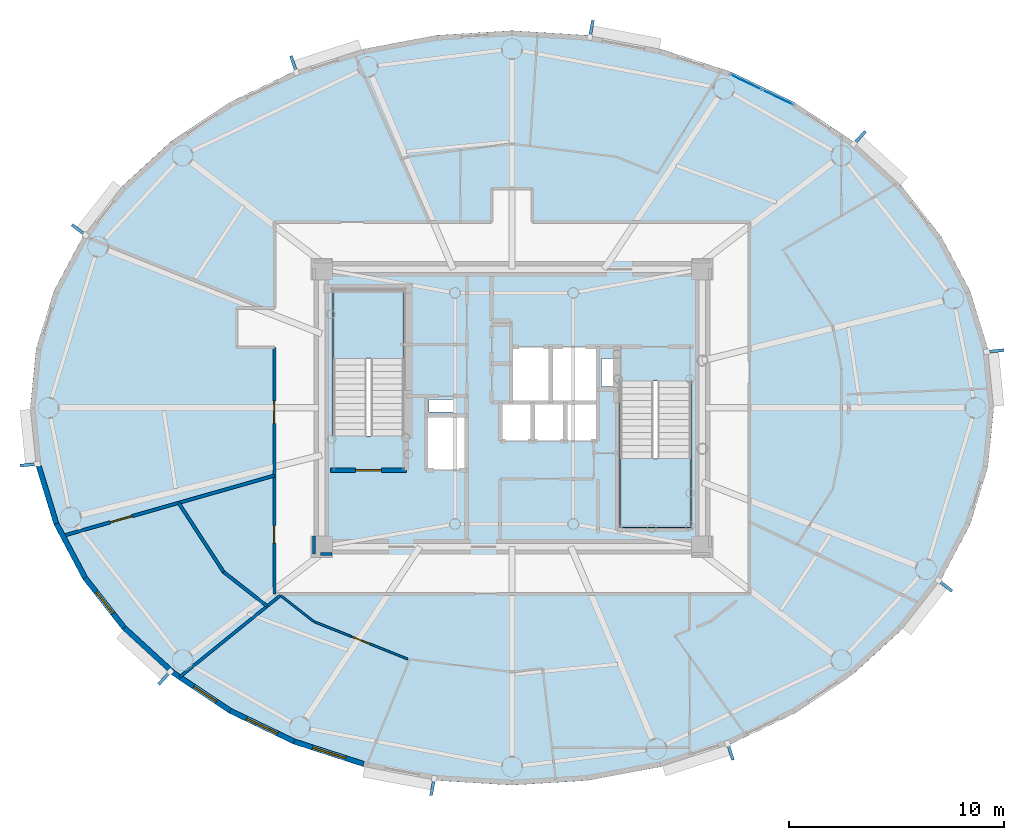
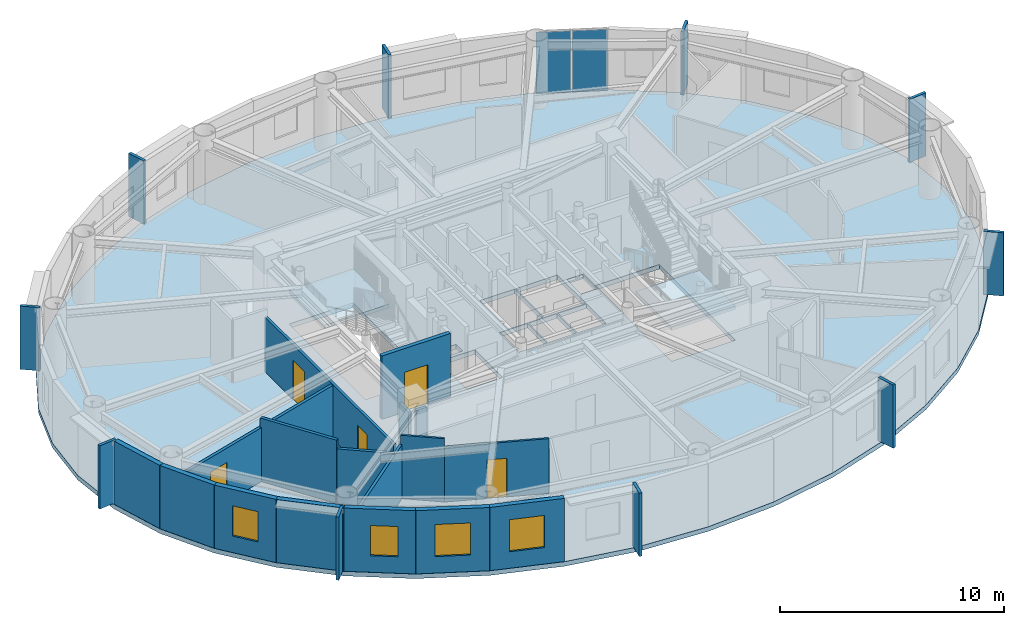
# One storey, part 6 of 17: 17 walls, 12 plates, 5 doors, 4 windows, 3 slabs, 9 openings, 3 elements without a shape of their own.
"""IFC4 building model written with IfcOpenShell, lengths in metres."""

from ifc_helpers import new_model, si_unit, direction, frame, frame_2d, origin, origin_2d, place, context, subcontext, project, spatial, polyline, rectangle, outline, extrude, source, transform, mapped, material, layer, layer_set, type_object, element, fill, aggregate, save


model = new_model("IFC4")

# Units and contexts
model_context = context("Model", 3, precision=1e-05, world=origin(), true_north=direction((0.0, 1.0)))
body_context = subcontext(model_context, "Body", "Model", "MODEL_VIEW")
ifc_project = project(units=[si_unit("LENGTHUNIT", "METRE"), si_unit("AREAUNIT", "SQUARE_METRE"), si_unit("VOLUMEUNIT", "CUBIC_METRE"), si_unit("PLANEANGLEUNIT", "RADIAN"), si_unit("MASSUNIT", "GRAM", prefix="KILO")], contexts=[model_context])

# Site, building, storey
site_placement = place(None, origin())
site = spatial("IfcSite", under=ifc_project, at=site_placement, CompositionType="ELEMENT")
building_placement = place(site_placement, origin())
building = spatial("IfcBuilding", under=site, at=building_placement, Name="Linh Dai School and Residence Tower", CompositionType="ELEMENT")
storey_placement = place(building_placement, frame((0.0, 0.0, 314.25)))
storey = spatial("IfcBuildingStorey", under=building, at=storey_placement, Name="L78", CompositionType="ELEMENT", Elevation=314.25)

# Slab
ifc_material_1 = material(Name="Concrete B45 (C35/45)", Category="concrete")
ifc_layer_1 = layer(ifc_material_1, 0.25)
ifc_layer_set_1 = layer_set([ifc_layer_1], Name="Concrete B45 (C35/45)")
slab_type_1 = type_object("IfcSlabType", Name="SLB-FLR250", PredefinedType="FLOOR", material=ifc_layer_set_1)
slab_1_placement = place(storey_placement, frame((0.0, 0.0, -0.25)))
element("IfcSlab", 1, at=slab_1_placement, inside=storey, type_object=slab_type_1, Name="L78 Composite Structural Floor Slab", PredefinedType="FLOOR", context=body_context, shape_type="SweptSolid", body=[
    extrude(outline(polyline([(58.39990234375, 27.0), (58.124267578125, 29.743896484375), (57.3037109375, 32.420166015625), (55.95849609375, 34.962890625), (54.1220703125, 37.309814453125), (51.839111328125, 39.402587890625), (49.16650390625, 41.190185546875), (46.16943359375, 42.628173828125), (42.921875, 43.681640625), (39.504150390625, 44.323974609375), (36.0, 44.5400390625), (32.495849609375, 44.323974609375), (29.078125, 43.681640625), (25.83056640625, 42.628173828125), (22.83349609375, 41.190185546875), (20.160888671875, 39.402587890625), (17.8779296875, 37.309814453125), (16.04150390625, 34.962890625), (14.6962890625, 32.420166015625), (13.875732421875, 29.743896484375), (13.60009765625, 27.0), (13.875732421875, 24.256103515625), (14.6962890625, 21.579833984375), (16.04150390625, 19.037109375), (17.8779296875, 16.690185546875), (20.160888671875, 14.597412109375), (22.83349609375, 12.809814453125), (25.83056640625, 11.371826171875), (29.078125, 10.318359375), (32.495849609375, 9.676025390625), (36.0, 9.4599609375), (39.504150390625, 9.676025390625), (42.921875, 10.318359375), (46.16943359375, 11.371826171875), (49.16650390625, 12.809814453125), (51.839111328125, 14.597412109375), (54.1220703125, 16.690185546875), (55.95849609375, 19.037109375), (57.3037109375, 21.579833984375), (58.124267578125, 24.256103515625), (58.39990234375, 27.0)]), holes=[polyline([(30.97998046875, 25.699951171875), (30.97998046875, 32.5), (27.679931640625, 32.5), (27.679931640625, 25.699951171875), (30.97998046875, 25.699951171875)]), polyline([(41.02001953125, 28.25), (41.02001953125, 21.449951171875), (44.320068359375, 21.449951171875), (44.320068359375, 28.25), (41.02001953125, 28.25)]), polyline([(35.97998046875, 27.280029296875), (37.77001953125, 27.280029296875), (37.77001953125, 29.820068359375), (35.97998046875, 29.820068359375), (35.97998046875, 27.280029296875)]), polyline([(32.030029296875, 24.1298828125), (33.8701171875, 24.1298828125), (33.8701171875, 26.6201171875), (32.030029296875, 26.6201171875), (32.030029296875, 24.1298828125)]), polyline([(37.830078125, 27.280029296875), (39.969970703125, 27.280029296875), (39.969970703125, 29.820068359375), (37.830078125, 29.820068359375), (37.830078125, 27.280029296875)]), polyline([(35.47998046875, 25.47998046875), (36.929931640625, 25.47998046875), (36.929931640625, 27.219970703125), (35.47998046875, 27.219970703125), (35.47998046875, 25.47998046875)]), polyline([(36.989990234375, 25.47998046875), (38.449951171875, 25.47998046875), (38.449951171875, 27.219970703125), (36.989990234375, 27.219970703125), (36.989990234375, 25.47998046875)]), polyline([(38.510009765625, 25.47998046875), (39.969970703125, 25.47998046875), (39.969970703125, 27.219970703125), (38.510009765625, 27.219970703125), (38.510009765625, 25.47998046875)]), polyline([(40.14990234375, 28.0), (40.14990234375, 29.300048828125), (41.0, 29.300048828125), (41.0, 28.280029296875), (40.989990234375, 28.280029296875), (40.989990234375, 28.0), (40.14990234375, 28.0)]), polyline([(32.14990234375, 26.800048828125), (33.35009765625, 26.800048828125), (33.35009765625, 27.39990234375), (32.14990234375, 27.39990234375), (32.14990234375, 26.800048828125)])]), origin(), (0.0, 0.0, 1.0), 0.25),
])

# Stair, slab
stair_type = type_object("IfcStairType", Name="ST-DOG-1550-R1442", PredefinedType="HALF_TURN_STAIR", material=ifc_material_1)
stair_1_placement = place(storey_placement, origin())
stair_1 = element("IfcStair", 2, at=stair_1_placement, inside=storey, type_object=stair_type, Name="L78 Core Smokeproof Exit Stair ST1", PredefinedType="HALF_TURN_STAIR")
ifc_layer_2 = layer(ifc_material_1, 0.199951171875)
ifc_layer_set_2 = layer_set([ifc_layer_2], Name="Concrete B45 (C35/45)")
slab_type_2 = type_object("IfcSlabType", Name="SLB-ST-LANDING-200", PredefinedType="LANDING", material=ifc_layer_set_2)
slab_2_placement = place(storey_placement, frame((0.0, 0.0, 1.675048828125)))
slab_2 = element("IfcSlab", 3, at=slab_2_placement, type_object=slab_type_2, Name="ST1 landing 1", PredefinedType="LANDING", context=body_context, shape_type="SweptSolid", body=[
    extrude(outline(polyline([(30.97998046875, 29.300048828125), (30.97998046875, 32.5), (27.679931640625, 32.5), (27.679931640625, 29.300048828125), (30.97998046875, 29.300048828125)])), origin(), (0.0, 0.0, 1.0), 0.199951171875),
])
aggregate(stair_1, [slab_2])

stair_2_placement = place(storey_placement, origin())
stair_2 = element("IfcStair", 4, at=stair_2_placement, inside=storey, type_object=stair_type, Name="L78 Core Smokeproof Exit Stair ST2", PredefinedType="HALF_TURN_STAIR")
slab_3_placement = place(storey_placement, frame((0.0, 0.0, 1.675048828125)))
slab_3 = element("IfcSlab", 5, at=slab_3_placement, type_object=slab_type_2, Name="ST2 landing 1", PredefinedType="LANDING", context=body_context, shape_type="SweptSolid", body=[
    extrude(outline(polyline([(41.02001953125, 24.64990234375), (41.02001953125, 21.449951171875), (44.320068359375, 21.449951171875), (44.320068359375, 24.64990234375), (41.02001953125, 24.64990234375)])), origin(), (0.0, 0.0, 1.0), 0.199951171875),
])
aggregate(stair_2, [slab_3])

# Plates
ifc_material_2 = material(Name="Precast Concrete B45 (C35/45)", Category="concrete")
ifc_layer_3 = layer(ifc_material_2, 0.139892578125)
ifc_layer_set_3 = layer_set([ifc_layer_3], Name="Precast Concrete B45 (C35/45)")
plate_type_1 = type_object("IfcPlateType", Name="FIN-TC-900x140", PredefinedType="USERDEFINED", material=ifc_layer_set_3)
shared_shape_1 = source(origin(), body_context, "Body", "SweptSolid", [
    extrude(rectangle(XDim=0.89990234375, YDim=0.139892578125, at=origin_2d()), origin(), (0.0, 0.0, 1.0), 3.449951171875),
])
for number, where, z_axis, x_axis, name in (
    (6, (58.421630859375, 29.640625, 0.0), (0.0, 0.0, 1.0), (0.994986629598, 0.100008034283, 0.0), "L78 Precast Terracotta Radial Fin 01"),
    (7, (52.127685546875, 39.525390625, 0.0), (0.0, 0.0, 1.0), (0.67577730889, 0.737105846394, 0.0), "L78 Precast Terracotta Radial Fin 05"),
    (8, (39.682373046875, 44.580810546875, 0.0), (0.0, 0.0, 1.0), (0.184751197452, 0.982785325002, 0.0), "L78 Precast Terracotta Radial Fin 09"),
    (9, (25.864501953125, 42.939208984375, 0.0), (0.0, 0.0, 1.0), (-0.308518805176, 0.951218243545, 0.0), "L78 Precast Terracotta Radial Fin 13"),
    (10, (15.897216796875, 35.241943359375, 0.0), (0.0, 0.0, 1.0), (-0.78750300393, 0.616310813471, 0.0), "L78 Precast Terracotta Radial Fin 17"),
    (11, (13.578369140625, 24.359375, 0.0), (0.0, 0.0, 1.0), (-0.994986629598, -0.100008034283, 0.0), "L78 Precast Terracotta Radial Fin 21"),
    (12, (19.872314453125, 14.474609375, 0.0), (0.0, 0.0, 1.0), (-0.675779074535, -0.737104227651, 0.0), "L78 Precast Terracotta Radial Fin 25"),
    (13, (32.317626953125, 9.419189453125, 0.0), (0.0, 0.0, 1.0), (-0.184751197452, -0.982785325002, 0.0), "L78 Precast Terracotta Radial Fin 29"),
    (14, (46.135498046875, 11.060791015625, 0.0), (0.0, 0.0, 1.0), (0.308518805176, -0.951218243545, 0.0), "L78 Precast Terracotta Radial Fin 33"),
    (15, (56.102783203125, 18.758056640625, 0.0), (0.0, 0.0, 1.0), (0.78750300393, -0.616310813471, 0.0), "L78 Precast Terracotta Radial Fin 37"),
):
    element("IfcPlate", number, at=place(storey_placement, frame(where, z_axis=z_axis, x_axis=x_axis)), inside=storey, type_object=plate_type_1, Name=name, ObjectType="RADIAL FIN", PredefinedType="USERDEFINED", context=body_context, shape_type="MappedRepresentation", body=[
        mapped(shared_shape_1, transform((0.0, 0.0, 0.0), x_axis=(1.0, 0.0, 0.0), y_axis=(0.0, 1.0, 0.0), z_axis=(0.0, 0.0, 1.0), scale=1.0)),
    ])

# Curtain wall, plates
ifc_material_3 = material(Name="Aluminium Anodised Curtain Wall", Category="aluminium")
ifc_layer_4 = layer(ifc_material_3, 0.14990234375)
ifc_layer_set_4 = layer_set([ifc_layer_4], Name="Aluminium Anodised Curtain Wall")
curtain_wall_type = type_object("IfcCurtainWallType", Name="CW-SYS-4", PredefinedType="USERDEFINED", material=ifc_layer_set_4)
curtain_wall_placement = place(storey_placement, origin())
curtain_wall = element("IfcCurtainWall", 16, at=curtain_wall_placement, inside=storey, type_object=curtain_wall_type, Name="L78 CW4 Curtain Wall 07", ObjectType="RIBBON CURTAIN WALL", PredefinedType="USERDEFINED")
ifc_material_4 = material(Name="Double Low-E Insulated Glazing", Category="glass")
ifc_layer_5 = layer(ifc_material_4, 0.02587890625)
ifc_layer_set_5 = layer_set([ifc_layer_5], Name="Double Low-E Insulated Glazing")
plate_type_2 = type_object("IfcPlateType", Name="CW-SYS-4-PAN", PredefinedType="CURTAIN_PANEL", material=ifc_layer_set_5)
shared_shape_2 = source(origin(), body_context, "Body", "SweptSolid", [
    extrude(rectangle(XDim=1.575439453125, YDim=0.02587890625, at=origin_2d()), origin(), (0.0, 0.0, 1.0), 3.345947265625),
])
plate_1_placement = place(storey_placement, frame((46.880126953125, 42.14892578125, 0.05224609375), z_axis=(0.0, 0.0, 1.0), x_axis=(0.901580240323, -0.432611916456, 0.0)))
plate_1 = element("IfcPlate", 17, at=plate_1_placement, type_object=plate_type_2, Name="CW4 panel 1.1", PredefinedType="CURTAIN_PANEL", context=body_context, shape_type="MappedRepresentation", body=[
    mapped(shared_shape_2, transform((0.0, 0.0, 0.0), x_axis=(1.0, 0.0, 0.0), y_axis=(0.0, 1.0, 0.0), z_axis=(0.0, 0.0, 1.0), scale=1.0)),
])
plate_2_placement = place(storey_placement, frame((48.347412109375, 41.44482421875, 0.05224609375), z_axis=(0.0, 0.0, 1.0), x_axis=(0.901580240323, -0.432611916456, 0.0)))
plate_2 = element("IfcPlate", 18, at=plate_2_placement, type_object=plate_type_2, Name="CW4 panel 2.1", PredefinedType="CURTAIN_PANEL", context=body_context, shape_type="MappedRepresentation", body=[
    mapped(shared_shape_2, transform((0.0, 0.0, 0.0), x_axis=(1.0, 0.0, 0.0), y_axis=(0.0, 1.0, 0.0), z_axis=(0.0, 0.0, 1.0), scale=1.0)),
])
aggregate(curtain_wall, [plate_1, plate_2])

# Walls
ifc_layer_6 = layer(ifc_material_2, 0.239990234375)
ifc_layer_set_6 = layer_set([ifc_layer_6], Name="Precast Concrete B45 (C35/45)")
wall_type_1 = type_object("IfcWallType", Name="EW-TC-240", PredefinedType="SOLIDWALL", material=ifc_layer_set_6)
wall_1_placement = place(storey_placement, frame((14.811767578125, 21.627685546875, 0.0), z_axis=(0.0, 0.0, 1.0), x_axis=(-0.2931213403, 0.956075248012, 0.0)))
element("IfcWall", 19, at=wall_1_placement, inside=storey, type_object=wall_type_1, Name="L78 Terracotta Exterior Wall 22", PredefinedType="SOLIDWALL", context=body_context, shape_type="SweptSolid", body=[
    extrude(rectangle(XDim=2.775146484375, YDim=0.239990234375, at=frame_2d((1.3876953125, 0.0))), origin(), (0.0, 0.0, 1.0), 3.449951171875),
])
wall_2_placement = place(storey_placement, frame((16.146240234375, 19.105224609375, 0.0), z_axis=(0.0, 0.0, 1.0), x_axis=(-0.467628269026, 0.883925224218, 0.0)))
element("IfcWall", 20, at=wall_2_placement, inside=storey, type_object=wall_type_1, Name="L78 Terracotta Exterior Wall 23", PredefinedType="SOLIDWALL", context=body_context, shape_type="SweptSolid", body=[
    extrude(rectangle(XDim=2.853759765625, YDim=0.239990234375, at=frame_2d((1.4267578125, 0.0))), origin(), (0.0, 0.0, 1.0), 3.449951171875),
])

# Wall, opening, window
wall_3_placement = place(storey_placement, frame((17.9697265625, 16.775390625, 0.0), z_axis=(0.0, 0.0, 1.0), x_axis=(-0.616337186556, 0.787482363275, 0.0)))
wall_3 = element("IfcWall", 21, at=wall_3_placement, inside=storey, type_object=wall_type_1, Name="L78 Terracotta Exterior Wall 24", PredefinedType="SOLIDWALL", context=body_context, shape_type="SweptSolid", body=[
    extrude(rectangle(XDim=2.95849609375, YDim=0.239990234375, at=frame_2d((1.479248046875, 0.0))), origin(), (0.0, 0.0, 1.0), 3.449951171875),
])
opening_1_placement = place(wall_3_placement, frame((0.85400390625, 0.0, 0.89990234375)))
opening_1 = element("IfcOpeningElement", 22, at=opening_1_placement, cuts=wall_3, Name="Opening W3", PredefinedType="OPENING", context=body_context, shape_type="SweptSolid", body=[
    extrude(rectangle(XDim=1.25, YDim=1.64990234375, at=origin_2d()), frame((0.625, 0.1298828125, 0.824951171875), z_axis=(0.0, -1.0, 0.0), x_axis=(1.0, 0.0, 0.0)), (0.0, 0.0, 1.0), 0.260009765625),
])
window_type_1 = type_object("IfcWindowType", Name="WN-RES-1250x1650", PartitioningType="SINGLE_PANEL", PredefinedType="WINDOW", material=ifc_material_4)
shared_shape_3 = source(origin(), body_context, "Body", "SweptSolid", [
    extrude(rectangle(XDim=1.25, YDim=1.64990234375, at=origin_2d()), frame((0.625, 0.030029296875, 0.824951171875), z_axis=(0.0, -1.0, 0.0), x_axis=(1.0, 0.0, 0.0)), (0.0, 0.0, 1.0), 0.06005859375),
])
window_1_placement = place(opening_1_placement, origin())
window_1 = element("IfcWindow", 23, at=window_1_placement, inside=storey, type_object=window_type_1, Name="L78 Exterior Window 24.1", OverallHeight=1.64990234375, OverallWidth=1.25, PartitioningType="SINGLE_PANEL", PredefinedType="WINDOW", context=body_context, shape_type="MappedRepresentation", body=[
    mapped(shared_shape_3, transform((0.0, 0.0, 0.0), x_axis=(1.0, 0.0, 0.0), y_axis=(0.0, 1.0, 0.0), z_axis=(0.0, 0.0, 1.0), scale=1.0)),
])
fill(opening_1, window_1)

# Wall
wall_4_placement = place(storey_placement, frame((20.23779296875, 14.69580078125, 0.0), z_axis=(0.0, 0.0, 1.0), x_axis=(-0.737068506972, 0.675818034703, 0.0)))
element("IfcWall", 24, at=wall_4_placement, inside=storey, type_object=wall_type_1, Name="L78 Terracotta Exterior Wall 25", PredefinedType="SOLIDWALL", context=body_context, shape_type="SweptSolid", body=[
    extrude(rectangle(XDim=3.0771484375, YDim=0.239990234375, at=frame_2d((1.53857421875, 0.0))), origin(), (0.0, 0.0, 1.0), 3.449951171875),
])

# Wall, opening, window
wall_5_placement = place(storey_placement, frame((22.8955078125, 12.91845703125, 0.0), z_axis=(0.0, 0.0, 1.0), x_axis=(-0.831250592635, 0.55589787933, 0.0)))
wall_5 = element("IfcWall", 25, at=wall_5_placement, inside=storey, type_object=wall_type_1, Name="L78 Terracotta Exterior Wall 26", PredefinedType="SOLIDWALL", context=body_context, shape_type="SweptSolid", body=[
    extrude(rectangle(XDim=3.197265625, YDim=0.239990234375, at=frame_2d((1.5986328125, 0.0))), origin(), (0.0, 0.0, 1.0), 3.449951171875),
])
opening_2_placement = place(wall_5_placement, frame((0.771728515625, 0.0, 0.89990234375)))
opening_2 = element("IfcOpeningElement", 26, at=opening_2_placement, cuts=wall_5, Name="Opening W3", PredefinedType="OPENING", context=body_context, shape_type="SweptSolid", body=[
    extrude(rectangle(XDim=1.25, YDim=1.64990234375, at=origin_2d()), frame((0.625, 0.1298828125, 0.824951171875), z_axis=(0.0, -1.0, 0.0), x_axis=(1.0, 0.0, 0.0)), (0.0, 0.0, 1.0), 0.260009765625),
])
window_2_placement = place(opening_2_placement, origin())
window_2 = element("IfcWindow", 27, at=window_2_placement, inside=storey, type_object=window_type_1, Name="L78 Exterior Window 26.1", OverallHeight=1.64990234375, OverallWidth=1.25, PartitioningType="SINGLE_PANEL", PredefinedType="WINDOW", context=body_context, shape_type="MappedRepresentation", body=[
    mapped(shared_shape_3, transform((0.0, 0.0, 0.0), x_axis=(1.0, 0.0, 0.0), y_axis=(0.0, 1.0, 0.0), z_axis=(0.0, 0.0, 1.0), scale=1.0)),
])
fill(opening_2, window_2)

wall_6_placement = place(storey_placement, frame((25.876953125, 11.48779296875, 0.0), z_axis=(0.0, 0.0, 1.0), x_axis=(-0.901573741254, 0.43262546051, 0.0)))
wall_6 = element("IfcWall", 28, at=wall_6_placement, inside=storey, type_object=wall_type_1, Name="L78 Terracotta Exterior Wall 27", PredefinedType="SOLIDWALL", context=body_context, shape_type="SweptSolid", body=[
    extrude(rectangle(XDim=3.306884765625, YDim=0.239990234375, at=frame_2d((1.6533203125, 0.0))), origin(), (0.0, 0.0, 1.0), 3.449951171875),
])
opening_3_placement = place(wall_6_placement, frame((0.853271484375, 0.0, 0.89990234375)))
opening_3 = element("IfcOpeningElement", 29, at=opening_3_placement, cuts=wall_6, Name="Opening W2", PredefinedType="OPENING", context=body_context, shape_type="SweptSolid", body=[
    extrude(rectangle(XDim=1.60009765625, YDim=1.75, at=origin_2d()), frame((0.800048828125, 0.1298828125, 0.875), z_axis=(0.0, -1.0, 0.0), x_axis=(1.0, 0.0, 0.0)), (0.0, 0.0, 1.0), 0.260009765625),
])
window_type_2 = type_object("IfcWindowType", Name="WN-RES-1600x1750", PartitioningType="DOUBLE_PANEL_VERTICAL", PredefinedType="WINDOW", material=ifc_material_4)
shared_shape_4 = source(origin(), body_context, "Body", "SweptSolid", [
    extrude(rectangle(XDim=1.60009765625, YDim=1.75, at=origin_2d()), frame((0.800048828125, 0.030029296875, 0.875), z_axis=(0.0, -1.0, 0.0), x_axis=(1.0, 0.0, 0.0)), (0.0, 0.0, 1.0), 0.06005859375),
])
window_3_placement = place(opening_3_placement, origin())
window_3 = element("IfcWindow", 30, at=window_3_placement, inside=storey, type_object=window_type_2, Name="L78 Exterior Window 27.1", OverallHeight=1.75, OverallWidth=1.60009765625, PartitioningType="DOUBLE_PANEL_VERTICAL", PredefinedType="WINDOW", context=body_context, shape_type="MappedRepresentation", body=[
    mapped(shared_shape_4, transform((0.0, 0.0, 0.0), x_axis=(1.0, 0.0, 0.0), y_axis=(0.0, 1.0, 0.0), z_axis=(0.0, 0.0, 1.0), scale=1.0)),
])
fill(opening_3, window_3)

wall_7_placement = place(storey_placement, frame((29.10888671875, 10.439697265625, 0.0), z_axis=(0.0, 0.0, 1.0), x_axis=(-0.95123136723, 0.308478339592, 0.0)))
wall_7 = element("IfcWall", 31, at=wall_7_placement, inside=storey, type_object=wall_type_1, Name="L78 Terracotta Exterior Wall 28", PredefinedType="SOLIDWALL", context=body_context, shape_type="SweptSolid", body=[
    extrude(rectangle(XDim=3.397705078125, YDim=0.239990234375, at=frame_2d((1.69873046875, 0.0))), origin(), (0.0, 0.0, 1.0), 3.449951171875),
])
opening_4_placement = place(wall_7_placement, frame((0.898681640625, 0.0, 0.89990234375)))
opening_4 = element("IfcOpeningElement", 32, at=opening_4_placement, cuts=wall_7, Name="Opening W2", PredefinedType="OPENING", context=body_context, shape_type="SweptSolid", body=[
    extrude(rectangle(XDim=1.60009765625, YDim=1.75, at=origin_2d()), frame((0.800048828125, 0.1298828125, 0.875), z_axis=(0.0, -1.0, 0.0), x_axis=(1.0, 0.0, 0.0)), (0.0, 0.0, 1.0), 0.260009765625),
])
window_4_placement = place(opening_4_placement, origin())
window_4 = element("IfcWindow", 33, at=window_4_placement, inside=storey, type_object=window_type_2, Name="L78 Exterior Window 28.1", OverallHeight=1.75, OverallWidth=1.60009765625, PartitioningType="DOUBLE_PANEL_VERTICAL", PredefinedType="WINDOW", context=body_context, shape_type="MappedRepresentation", body=[
    mapped(shared_shape_4, transform((0.0, 0.0, 0.0), x_axis=(1.0, 0.0, 0.0), y_axis=(0.0, 1.0, 0.0), z_axis=(0.0, 0.0, 1.0), scale=1.0)),
])
fill(opening_4, window_4)

# Wall
ifc_material_5 = material(Name="Autoclaved Aerated Concrete Blockwork", Category="masonry")
ifc_layer_7 = layer(ifc_material_5, 0.135009765625)
ifc_layer_set_7 = layer_set([ifc_layer_7], Name="Autoclaved Aerated Concrete Blockwork")
wall_type_2 = type_object("IfcWallType", Name="IW-CORR-135-EI90", PredefinedType="PARTITIONING", material=ifc_layer_set_7)
wall_8_placement = place(storey_placement, frame((20.544677734375, 14.484619140625, 0.0), z_axis=(0.0, 0.0, 1.0), x_axis=(0.77715155867, 0.629313479004, 0.0)))
element("IfcWall", 34, at=wall_8_placement, inside=storey, type_object=wall_type_2, Name="L78 Interior Partition Wall 004", PredefinedType="PARTITIONING", context=body_context, shape_type="SweptSolid", body=[
    extrude(rectangle(XDim=6.032470703125, YDim=0.135009765625, at=frame_2d((3.01611328125, 0.0))), origin(), (0.0, 0.0, 1.0), 2.93505859375),
])

# Wall, openings, doors
wall_9_placement = place(storey_placement, frame((24.949951171875, 18.35009765625, 0.0), z_axis=(0.0, 0.0, 1.0), x_axis=(0.0, 1.0, 0.0)))
wall_9 = element("IfcWall", 35, at=wall_9_placement, inside=storey, type_object=wall_type_2, Name="L78 Interior Partition Wall 009", PredefinedType="PARTITIONING", context=body_context, shape_type="SweptSolid", body=[
    extrude(rectangle(XDim=11.449951171875, YDim=0.135009765625, at=frame_2d((5.72509765625, 0.0))), origin(), (0.0, 0.0, 1.0), 2.985107421875),
])
opening_5_placement = place(wall_9_placement, frame((7.93115234375, 0.0, 0.0)))
opening_5 = element("IfcOpeningElement", 36, at=opening_5_placement, cuts=wall_9, Name="Opening D04", PredefinedType="OPENING", context=body_context, shape_type="SweptSolid", body=[
    extrude(rectangle(XDim=1.050048828125, YDim=2.14990234375, at=origin_2d()), frame((0.52490234375, 0.07763671875, 1.074951171875), z_axis=(0.0, -1.0, 0.0), x_axis=(1.0, 0.0, 0.0)), (0.0, 0.0, 1.0), 0.155029296875),
])
opening_6_placement = place(wall_9_placement, frame((2.361083984375, 0.0, 0.0)))
opening_6 = element("IfcOpeningElement", 37, at=opening_6_placement, cuts=wall_9, Name="Opening D06", PredefinedType="OPENING", context=body_context, shape_type="SweptSolid", body=[
    extrude(rectangle(XDim=0.820068359375, YDim=2.10009765625, at=origin_2d()), frame((0.41015625, 0.07763671875, 1.050048828125), z_axis=(0.0, -1.0, 0.0), x_axis=(1.0, 0.0, 0.0)), (0.0, 0.0, 1.0), 0.155029296875),
])
ifc_material_6 = material(Name="Acoustic Vision-Panel Timber Classroom Door", Category="wood")
door_type_1 = type_object("IfcDoorType", Name="DR-SCH-1050x2150-FD60S", OperationType="NOTDEFINED", PredefinedType="DOOR", material=ifc_material_6)
shared_shape_5 = source(origin(), body_context, "Body", "SweptSolid", [
    extrude(rectangle(XDim=1.050048828125, YDim=2.14990234375, at=origin_2d()), frame((0.52490234375, 0.02490234375, 1.074951171875), z_axis=(0.0, -1.0, 0.0), x_axis=(1.0, 0.0, 0.0)), (0.0, 0.0, 1.0), 0.050048828125),
])
door_1_placement = place(opening_5_placement, origin())
door_1 = element("IfcDoor", 38, at=door_1_placement, inside=storey, type_object=door_type_1, Name="L78 High-Zone Resident Gallery Reading Room Door", OperationType="SINGLE_SWING_LEFT", OverallHeight=2.14990234375, OverallWidth=1.050048828125, PredefinedType="DOOR", context=body_context, shape_type="MappedRepresentation", body=[
    mapped(shared_shape_5, transform((0.0, 0.0, 0.0), x_axis=(1.0, 0.0, 0.0), y_axis=(0.0, 1.0, 0.0), z_axis=(0.0, 0.0, 1.0), scale=1.0)),
])
fill(opening_5, door_1)
ifc_material_7 = material(Name="Moisture-Resistant Timber Bathroom Door", Category="wood")
door_type_2 = type_object("IfcDoorType", Name="DR-WET-820x2100", OperationType="NOTDEFINED", PredefinedType="DOOR", material=ifc_material_7)
shared_shape_6 = source(origin(), body_context, "Body", "SweptSolid", [
    extrude(rectangle(XDim=0.820068359375, YDim=2.10009765625, at=origin_2d()), frame((0.41015625, 0.02490234375, 1.050048828125), z_axis=(0.0, -1.0, 0.0), x_axis=(1.0, 0.0, 0.0)), (0.0, 0.0, 1.0), 0.050048828125),
])
door_2_placement = place(opening_6_placement, origin())
door_2 = element("IfcDoor", 39, at=door_2_placement, inside=storey, type_object=door_type_2, Name="L78 Amenity Accessible WC Door", OperationType="SINGLE_SWING_RIGHT", OverallHeight=2.10009765625, OverallWidth=0.820068359375, PredefinedType="DOOR", context=body_context, shape_type="MappedRepresentation", body=[
    mapped(shared_shape_6, transform((0.0, 0.0, 0.0), x_axis=(1.0, 0.0, 0.0), y_axis=(0.0, 1.0, 0.0), z_axis=(0.0, 0.0, 1.0), scale=1.0)),
])
fill(opening_6, door_2)

# Walls
wall_10_placement = place(storey_placement, frame((26.800048828125, 21.0400390625, 0.0), z_axis=(0.0, 0.0, 1.0), x_axis=(0.0, -1.0, 0.0)))
element("IfcWall", 40, at=wall_10_placement, inside=storey, type_object=wall_type_2, Name="L78 Interior Partition Wall 081", PredefinedType="PARTITIONING", context=body_context, shape_type="SweptSolid", body=[
    extrude(rectangle(XDim=0.840087890625, YDim=0.135009765625, at=frame_2d((0.419921875, 0.0))), origin(), (0.0, 0.0, 1.0), 2.985107421875),
])
wall_11_placement = place(storey_placement, frame((27.107421875, 20.199951171875, 0.0), z_axis=(0.0, 0.0, 1.0), x_axis=(1.0, 0.0, 0.0)))
element("IfcWall", 41, at=wall_11_placement, inside=storey, type_object=wall_type_2, Name="L78 Interior Partition Wall 082", PredefinedType="PARTITIONING", context=body_context, shape_type="SweptSolid", body=[
    extrude(rectangle(XDim=0.532470703125, YDim=0.135009765625, at=frame_2d((0.26611328125, 0.0))), origin(), (0.0, 0.0, 1.0), 2.985107421875),
])

# Wall, opening, door
ifc_layer_8 = layer(ifc_material_5, 0.14990234375)
ifc_layer_set_8 = layer_set([ifc_layer_8], Name="Autoclaved Aerated Concrete Blockwork")
wall_type_3 = type_object("IfcWallType", Name="IW-SCH-150-EI60", PredefinedType="PARTITIONING", material=ifc_layer_set_8)
wall_12_placement = place(storey_placement, frame((15.11181640625, 21.0498046875, 0.0), z_axis=(0.0, 0.0, 1.0), x_axis=(0.961740695875, 0.273961373004, 0.0)))
wall_12 = element("IfcWall", 42, at=wall_12_placement, inside=storey, type_object=wall_type_3, Name="L78 Interior Partition Wall 001", PredefinedType="PARTITIONING", context=body_context, shape_type="SweptSolid", body=[
    extrude(rectangle(XDim=10.2294921875, YDim=0.14990234375, at=frame_2d((5.11474609375, 0.0))), origin(), (0.0, 0.0, 1.0), 2.93505859375),
])
opening_7_placement = place(wall_12_placement, frame((2.29541015625, 0.0, 0.0)))
opening_7 = element("IfcOpeningElement", 43, at=opening_7_placement, cuts=wall_12, Name="Opening D04", PredefinedType="OPENING", context=body_context, shape_type="SweptSolid", body=[
    extrude(rectangle(XDim=1.050048828125, YDim=2.14990234375, at=origin_2d()), frame((0.52490234375, 0.0849609375, 1.074951171875), z_axis=(0.0, -1.0, 0.0), x_axis=(1.0, 0.0, 0.0)), (0.0, 0.0, 1.0), 0.169921875),
])
door_3_placement = place(opening_7_placement, origin())
door_3 = element("IfcDoor", 44, at=door_3_placement, inside=storey, type_object=door_type_1, Name="L78 Amenity Tea Salon Door", OperationType="SINGLE_SWING_LEFT", OverallHeight=2.14990234375, OverallWidth=1.050048828125, PredefinedType="DOOR", context=body_context, shape_type="MappedRepresentation", body=[
    mapped(shared_shape_5, transform((0.0, 0.0, 0.0), x_axis=(1.0, 0.0, 0.0), y_axis=(0.0, 1.0, 0.0), z_axis=(0.0, 0.0, 1.0), scale=1.0)),
])
fill(opening_7, door_3)

# Walls
wall_13_placement = place(storey_placement, frame((20.498779296875, 22.584228515625, 0.0), z_axis=(0.0, 0.0, 1.0), x_axis=(0.545422512832, -0.838161250892, 0.0)))
element("IfcWall", 45, at=wall_13_placement, inside=storey, type_object=wall_type_3, Name="L78 Interior Partition Wall 003", PredefinedType="PARTITIONING", context=body_context, shape_type="SweptSolid", body=[
    extrude(rectangle(XDim=3.833740234375, YDim=0.14990234375, at=frame_2d((1.9169921875, 0.0))), origin(), (0.0, 0.0, 1.0), 3.449951171875),
])
wall_14_placement = place(storey_placement, frame((22.58984375, 19.370849609375, 0.0), z_axis=(0.0, 0.0, 1.0), x_axis=(0.78729093539, -0.616581692116, 0.0)))
element("IfcWall", 46, at=wall_14_placement, inside=storey, type_object=wall_type_3, Name="L78 Interior Partition Wall 005", PredefinedType="PARTITIONING", context=body_context, shape_type="SweptSolid", body=[
    extrude(rectangle(XDim=2.57568359375, YDim=0.14990234375, at=frame_2d((1.287841796875, 0.0))), origin(), (0.0, 0.0, 1.0), 2.985107421875),
])

# Wall, opening, door
ifc_layer_9 = layer(ifc_material_1, 0.199951171875)
ifc_layer_set_9 = layer_set([ifc_layer_9], Name="Concrete B45 (C35/45)")
wall_type_4 = type_object("IfcWallType", Name="IW-SHAFT-200-EI120", PredefinedType="PARTITIONING", material=ifc_layer_set_9)
wall_15_placement = place(storey_placement, frame((27.56005859375, 24.10009765625, 0.0), z_axis=(0.0, 0.0, 1.0), x_axis=(1.0, 0.0, 0.0)))
wall_15 = element("IfcWall", 47, at=wall_15_placement, inside=storey, type_object=wall_type_4, Name="L78 Interior Partition Wall 015", PredefinedType="PARTITIONING", context=body_context, shape_type="SweptSolid", body=[
    extrude(rectangle(XDim=3.5400390625, YDim=0.199951171875, at=frame_2d((1.77001953125, 0.0))), origin(), (0.0, 0.0, 1.0), 3.449951171875),
])
opening_8_placement = place(wall_15_placement, frame((1.169921875, 0.0, 0.0)))
opening_8 = element("IfcOpeningElement", 48, at=opening_8_placement, cuts=wall_15, Name="Opening D01", PredefinedType="OPENING", context=body_context, shape_type="SweptSolid", body=[
    extrude(rectangle(XDim=1.199951171875, YDim=2.14990234375, at=origin_2d()), frame((0.60009765625, 0.10986328125, 1.074951171875), z_axis=(0.0, -1.0, 0.0), x_axis=(1.0, 0.0, 0.0)), (0.0, 0.0, 1.0), 0.219970703125),
])
ifc_material_8 = material(Name="Fire-Rated Steel Door Leaf", Category="steel")
door_type_3 = type_object("IfcDoorType", Name="DR-STAIR-1200x2150-FD90S", OperationType="NOTDEFINED", PredefinedType="DOOR", material=ifc_material_8)
shared_shape_7 = source(origin(), body_context, "Body", "SweptSolid", [
    extrude(rectangle(XDim=1.199951171875, YDim=2.14990234375, at=origin_2d()), frame((0.60009765625, 0.02490234375, 1.074951171875), z_axis=(0.0, -1.0, 0.0), x_axis=(1.0, 0.0, 0.0)), (0.0, 0.0, 1.0), 0.050048828125),
])
door_4_placement = place(opening_8_placement, origin())
door_4 = element("IfcDoor", 49, at=door_4_placement, inside=storey, type_object=door_type_3, Name="L78 Core Smokeproof Exit Stair ST1 Door", OperationType="SINGLE_SWING_RIGHT", OverallHeight=2.14990234375, OverallWidth=1.199951171875, PredefinedType="DOOR", context=body_context, shape_type="MappedRepresentation", body=[
    mapped(shared_shape_7, transform((0.0, 0.0, 0.0), x_axis=(1.0, 0.0, 0.0), y_axis=(0.0, 1.0, 0.0), z_axis=(0.0, 0.0, 1.0), scale=1.0)),
])
fill(opening_8, door_4)

# Wall
ifc_material_9 = material(Name="Gypsum Plasterboard Acoustic Stud Partition", Category="masonry")
ifc_layer_10 = layer(ifc_material_9, 0.10009765625)
ifc_layer_set_10 = layer_set([ifc_layer_10], Name="Gypsum Plasterboard Acoustic Stud Partition")
wall_type_5 = type_object("IfcWallType", Name="IW-UNIT-100", PredefinedType="PARTITIONING", material=ifc_layer_set_10)
wall_16_placement = place(storey_placement, frame((25.23291015625, 18.281005859375, 0.0), z_axis=(0.0, 0.0, 1.0), x_axis=(0.787345395334, -0.61651214785, 0.0)))
element("IfcWall", 50, at=wall_16_placement, inside=storey, type_object=wall_type_5, Name="L78 Interior Partition Wall 013", PredefinedType="PARTITIONING", context=body_context, shape_type="SweptSolid", body=[
    extrude(rectangle(XDim=1.96923828125, YDim=0.10009765625, at=frame_2d((0.984619140625, 0.0))), origin(), (0.0, 0.0, 1.0), 3.449951171875),
])

# Wall, opening, door
wall_17_placement = place(storey_placement, frame((26.783447265625, 17.06689453125, 0.0), z_axis=(0.0, 0.0, 1.0), x_axis=(0.928809047774, -0.370558703544, 0.0)))
wall_17 = element("IfcWall", 51, at=wall_17_placement, inside=storey, type_object=wall_type_5, Name="L78 Interior Partition Wall 014", PredefinedType="PARTITIONING", context=body_context, shape_type="SweptSolid", body=[
    extrude(rectangle(XDim=4.7060546875, YDim=0.10009765625, at=frame_2d((2.35302734375, 0.0))), origin(), (0.0, 0.0, 1.0), 2.985107421875),
])
opening_9_placement = place(wall_17_placement, frame((1.903076171875, 0.0, 0.0)))
opening_9 = element("IfcOpeningElement", 52, at=opening_9_placement, cuts=wall_17, Name="Opening D05", PredefinedType="OPENING", context=body_context, shape_type="SweptSolid", body=[
    extrude(rectangle(XDim=0.89990234375, YDim=2.10009765625, at=origin_2d()), frame((0.449951171875, 0.06005859375, 1.050048828125), z_axis=(0.0, -1.0, 0.0), x_axis=(1.0, 0.0, 0.0)), (0.0, 0.0, 1.0), 0.1201171875),
])
ifc_material_10 = material(Name="Engineered Timber Internal Door", Category="wood")
door_type_4 = type_object("IfcDoorType", Name="DR-INT-900x2100", OperationType="NOTDEFINED", PredefinedType="DOOR", material=ifc_material_10)
shared_shape_8 = source(origin(), body_context, "Body", "SweptSolid", [
    extrude(rectangle(XDim=0.89990234375, YDim=2.10009765625, at=origin_2d()), frame((0.449951171875, 0.02490234375, 1.050048828125), z_axis=(0.0, -1.0, 0.0), x_axis=(1.0, 0.0, 0.0)), (0.0, 0.0, 1.0), 0.050048828125),
])
door_5_placement = place(opening_9_placement, origin())
door_5 = element("IfcDoor", 53, at=door_5_placement, inside=storey, type_object=door_type_4, Name="L78 Apartment U7801 Principal Bedroom 1 Door", OperationType="SINGLE_SWING_LEFT", OverallHeight=2.10009765625, OverallWidth=0.89990234375, PredefinedType="DOOR", context=body_context, shape_type="MappedRepresentation", body=[
    mapped(shared_shape_8, transform((0.0, 0.0, 0.0), x_axis=(1.0, 0.0, 0.0), y_axis=(0.0, 1.0, 0.0), z_axis=(0.0, 0.0, 1.0), scale=1.0)),
])
fill(opening_9, door_5)

save(model, "model.ifc")
